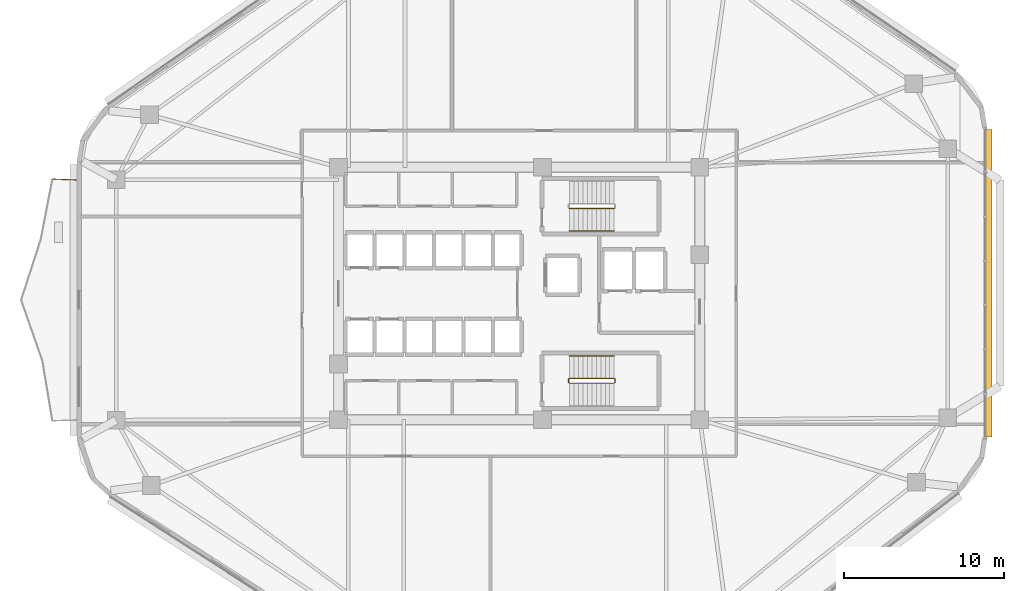
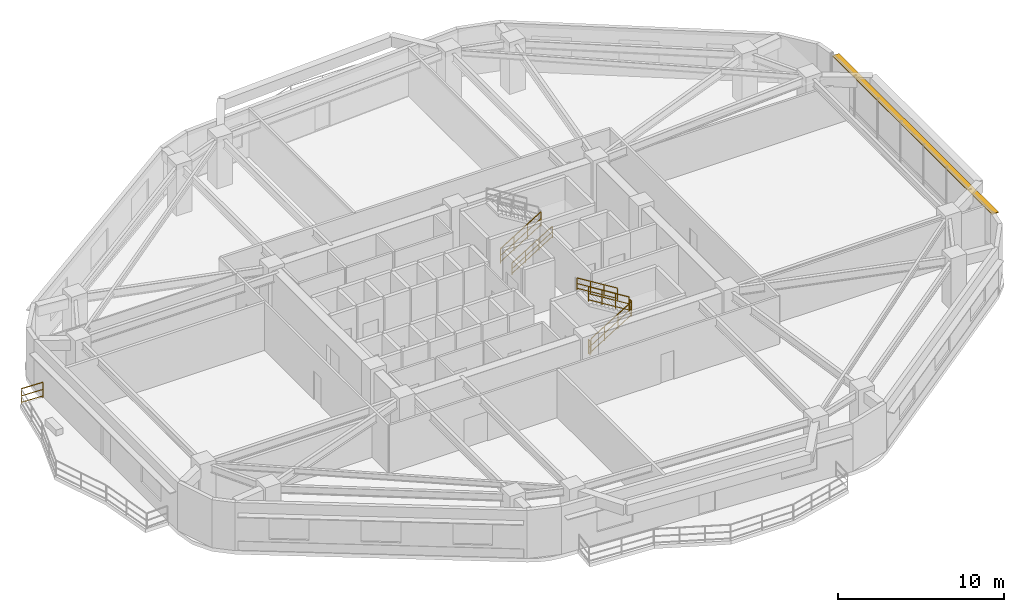
# One storey, part 13 of 14: 8 railings, 1 shading device.
"""IFC4 building model written with IfcOpenShell, lengths in metres."""

from ifc_helpers import new_model, si_unit, direction, frame, origin, origin_2d, place, context, subcontext, project, spatial, rectangle, extrude, material, layer, layer_set, type_object, element, save


model = new_model("IFC4")

# Units and contexts
model_context = context("Model", 3, precision=1e-05, world=origin(), true_north=direction((0.0, 1.0)))
body_context = subcontext(model_context, "Body", "Model", "MODEL_VIEW")
ifc_project = project(units=[si_unit("LENGTHUNIT", "METRE"), si_unit("AREAUNIT", "SQUARE_METRE"), si_unit("VOLUMEUNIT", "CUBIC_METRE"), si_unit("PLANEANGLEUNIT", "RADIAN"), si_unit("MASSUNIT", "GRAM", prefix="KILO")], contexts=[model_context])

# Site, building, storey
site_placement = place(None, origin())
site = spatial("IfcSite", under=ifc_project, at=site_placement, CompositionType="ELEMENT")
building_placement = place(site_placement, origin())
building = spatial("IfcBuilding", under=site, at=building_placement, Name="Zulverin Broadcast Headquarters", CompositionType="ELEMENT")
storey_placement = place(building_placement, frame((0.0, 0.0, 85.800048828125)))
storey = spatial("IfcBuildingStorey", under=building, at=storey_placement, Name="L21", CompositionType="ELEMENT", Elevation=85.800048828125)

# Railings
ifc_material_1 = material(Name="Brushed stainless steel & laminated glass balustrade", Category="steel")
railing_type_1 = type_object("IfcRailingType", Name="RL-GUARD-1150", PredefinedType="GUARDRAIL", material=ifc_material_1)
railing_1_placement = place(storey_placement, frame((9.360107421875, 32.284423828125, 0.0)))
element("IfcRailing", 1, at=railing_1_placement, inside=storey, type_object=railing_type_1, Name="L21 Vertical-Forest Balcony Guardrail BAL_W Segment 01", PredefinedType="GUARDRAIL", context=body_context, shape_type="SweptSolid", body=[
    extrude(rectangle(XDim=0.048095703125, YDim=0.048095703125, at=origin_2d()), frame((0.0, 0.0, 1.1259765625), z_axis=(-0.999181155166, 0.040460093435, 0.0), x_axis=(-0.040460093435, -0.999181155166, 0.0)), (0.0, 0.0, 1.0), 1.46630859375),
    extrude(rectangle(XDim=0.0419921875, YDim=0.0419921875, at=origin_2d()), frame((0.0, 0.0, 0.597900390625), z_axis=(-0.999181155166, 0.040460093435, 0.0), x_axis=(-0.040460093435, -0.999181155166, 0.0)), (0.0, 0.0, 1.0), 1.46630859375),
    extrude(rectangle(XDim=0.0419921875, YDim=0.0419921875, at=origin_2d()), frame((0.0, 0.0, 0.1201171875), z_axis=(-0.999181155166, 0.040460093435, 0.0), x_axis=(-0.040460093435, -0.999181155166, 0.0)), (0.0, 0.0, 1.0), 1.46630859375),
    extrude(rectangle(XDim=0.0419921875, YDim=0.0419921875, at=origin_2d()), origin(), (0.0, 0.0, 1.0), 1.101806640625),
    extrude(rectangle(XDim=0.0419921875, YDim=0.0419921875, at=origin_2d()), frame((-1.465087890625, 0.059326171875, 0.0)), (0.0, 0.0, 1.0), 1.101806640625),
])
ifc_material_2 = material(Name="Painted galvanized steel tubular guardrail S355JR", Category="steel")
railing_type_2 = type_object("IfcRailingType", Name="RL-ST-GUARD", PredefinedType="GUARDRAIL", material=ifc_material_2)
for number, where, name in (
    (2, (40.1298828125, 30.5, 0.172607421875), "L21 ST-1 stair guard 1"),
    (3, (40.1298828125, 19.60009765625, 0.172607421875), "L21 ST-2 stair guard 1"),
):
    element("IfcRailing", number, at=place(storey_placement, frame(where)), inside=storey, type_object=railing_type_2, Name=name, PredefinedType="GUARDRAIL", context=body_context, shape_type="SweptSolid", body=[
        extrude(rectangle(XDim=0.048095703125, YDim=0.048095703125, at=origin_2d()), frame((0.0, 0.0, 1.076171875), z_axis=(0.851089632645, 0.0, 0.525020415988), x_axis=(0.0, 1.0, 0.0)), (0.0, 0.0, 1.0), 3.2900390625),
        extrude(rectangle(XDim=0.0419921875, YDim=0.0419921875, at=origin_2d()), frame((0.0, 0.0, 0.572021484375), z_axis=(0.851089632645, 0.0, 0.525020415988), x_axis=(0.0, 1.0, 0.0)), (0.0, 0.0, 1.0), 3.2900390625),
        extrude(rectangle(XDim=0.0419921875, YDim=0.0419921875, at=origin_2d()), frame((0.0, 0.0, 0.1201171875), z_axis=(0.851089632645, 0.0, 0.525020415988), x_axis=(0.0, 1.0, 0.0)), (0.0, 0.0, 1.0), 3.2900390625),
        extrude(rectangle(XDim=0.0419921875, YDim=0.0419921875, at=origin_2d()), origin(), (0.0, 0.0, 1.0), 1.052001953125),
        extrude(rectangle(XDim=0.0419921875, YDim=0.0419921875, at=origin_2d()), frame((0.933349609375, 0.0, 0.57568359375)), (0.0, 0.0, 1.0), 1.052001953125),
        extrude(rectangle(XDim=0.0419921875, YDim=0.0419921875, at=origin_2d()), frame((1.86669921875, 0.0, 1.151611328125)), (0.0, 0.0, 1.0), 1.052001953125),
        extrude(rectangle(XDim=0.0419921875, YDim=0.0419921875, at=origin_2d()), frame((2.800048828125, 0.0, 1.727294921875)), (0.0, 0.0, 1.0), 1.052001953125),
    ])
railing_2_placement = place(storey_placement, frame((42.97998046875, 19.64990234375, 1.89990234375)))
element("IfcRailing", 4, at=railing_2_placement, inside=storey, type_object=railing_type_2, Name="L21 ST-2 stair guard 2", PredefinedType="GUARDRAIL", context=body_context, shape_type="SweptSolid", body=[
    extrude(rectangle(XDim=0.048095703125, YDim=0.048095703125, at=origin_2d()), frame((0.0, 0.0, 1.076171875), z_axis=(0.0, 1.0, 0.0), x_axis=(-1.0, 0.0, 0.0)), (0.0, 0.0, 1.0), 0.2001953125),
    extrude(rectangle(XDim=0.0419921875, YDim=0.0419921875, at=origin_2d()), frame((0.0, 0.0, 0.572021484375), z_axis=(0.0, 1.0, 0.0), x_axis=(-1.0, 0.0, 0.0)), (0.0, 0.0, 1.0), 0.2001953125),
    extrude(rectangle(XDim=0.0419921875, YDim=0.0419921875, at=origin_2d()), frame((0.0, 0.0, 0.1201171875), z_axis=(0.0, 1.0, 0.0), x_axis=(-1.0, 0.0, 0.0)), (0.0, 0.0, 1.0), 0.2001953125),
    extrude(rectangle(XDim=0.0419921875, YDim=0.0419921875, at=origin_2d()), origin(), (0.0, 0.0, 1.0), 1.052001953125),
    extrude(rectangle(XDim=0.0419921875, YDim=0.0419921875, at=origin_2d()), frame((0.0, 0.2001953125, 0.0)), (0.0, 0.0, 1.0), 1.052001953125),
])
railing_3_placement = place(storey_placement, frame((42.929931640625, 19.89990234375, 2.07275390625)))
element("IfcRailing", 5, at=railing_3_placement, inside=storey, type_object=railing_type_2, Name="L21 ST-2 stair guard 3", PredefinedType="GUARDRAIL", context=body_context, shape_type="SweptSolid", body=[
    extrude(rectangle(XDim=0.048095703125, YDim=0.048095703125, at=origin_2d()), frame((0.0, 0.0, 1.076171875), z_axis=(-0.851089632645, 0.0, 0.525020415988), x_axis=(0.0, -1.0, 0.0)), (0.0, 0.0, 1.0), 3.2900390625),
    extrude(rectangle(XDim=0.0419921875, YDim=0.0419921875, at=origin_2d()), frame((0.0, 0.0, 0.572021484375), z_axis=(-0.851089632645, 0.0, 0.525020415988), x_axis=(0.0, -1.0, 0.0)), (0.0, 0.0, 1.0), 3.2900390625),
    extrude(rectangle(XDim=0.0419921875, YDim=0.0419921875, at=origin_2d()), frame((0.0, 0.0, 0.1201171875), z_axis=(-0.851089632645, 0.0, 0.525020415988), x_axis=(0.0, -1.0, 0.0)), (0.0, 0.0, 1.0), 3.2900390625),
    extrude(rectangle(XDim=0.0419921875, YDim=0.0419921875, at=origin_2d()), origin(), (0.0, 0.0, 1.0), 1.052001953125),
    extrude(rectangle(XDim=0.0419921875, YDim=0.0419921875, at=origin_2d()), frame((-0.933349609375, 0.0, 0.57568359375)), (0.0, 0.0, 1.0), 1.052001953125),
    extrude(rectangle(XDim=0.0419921875, YDim=0.0419921875, at=origin_2d()), frame((-1.86669921875, 0.0, 1.151611328125)), (0.0, 0.0, 1.0), 1.052001953125),
    extrude(rectangle(XDim=0.0419921875, YDim=0.0419921875, at=origin_2d()), frame((-2.800048828125, 0.0, 1.727294921875)), (0.0, 0.0, 1.0), 1.052001953125),
])
railing_4_placement = place(storey_placement, frame((40.080078125, 19.64990234375, 0.0)))
element("IfcRailing", 6, at=railing_4_placement, inside=storey, type_object=railing_type_2, Name="L21 ST-2 stair guard 4", PredefinedType="GUARDRAIL", context=body_context, shape_type="SweptSolid", body=[
    extrude(rectangle(XDim=0.048095703125, YDim=0.048095703125, at=origin_2d()), frame((0.0, 0.0, 1.076171875), z_axis=(0.0, 1.0, 0.0), x_axis=(-1.0, 0.0, 0.0)), (0.0, 0.0, 1.0), 0.2001953125),
    extrude(rectangle(XDim=0.0419921875, YDim=0.0419921875, at=origin_2d()), frame((0.0, 0.0, 0.572021484375), z_axis=(0.0, 1.0, 0.0), x_axis=(-1.0, 0.0, 0.0)), (0.0, 0.0, 1.0), 0.2001953125),
    extrude(rectangle(XDim=0.0419921875, YDim=0.0419921875, at=origin_2d()), frame((0.0, 0.0, 0.1201171875), z_axis=(0.0, 1.0, 0.0), x_axis=(-1.0, 0.0, 0.0)), (0.0, 0.0, 1.0), 0.2001953125),
    extrude(rectangle(XDim=0.0419921875, YDim=0.0419921875, at=origin_2d()), origin(), (0.0, 0.0, 1.0), 1.052001953125),
    extrude(rectangle(XDim=0.0419921875, YDim=0.0419921875, at=origin_2d()), frame((0.0, 0.2001953125, 0.0)), (0.0, 0.0, 1.0), 1.052001953125),
])
ifc_material_3 = material(Name="Brushed stainless steel 48 mm handrail", Category="steel")
railing_type_3 = type_object("IfcRailingType", Name="RL-ST-HAND", PredefinedType="HANDRAIL", material=ifc_material_3)
railing_5_placement = place(storey_placement, frame((40.1298828125, 29.10009765625, 0.172607421875)))
element("IfcRailing", 7, at=railing_5_placement, inside=storey, type_object=railing_type_3, Name="L21 ST-1 stair handrail 1", PredefinedType="HANDRAIL", context=body_context, shape_type="SweptSolid", body=[
    extrude(rectangle(XDim=0.048095703125, YDim=0.048095703125, at=origin_2d()), frame((0.0, 0.0, 0.8759765625), z_axis=(0.851089632645, 0.0, 0.525020415988), x_axis=(0.0, 1.0, 0.0)), (0.0, 0.0, 1.0), 3.2900390625),
    extrude(rectangle(XDim=0.0419921875, YDim=0.0419921875, at=origin_2d()), frame((0.0, 0.0, 0.468017578125), z_axis=(0.851089632645, 0.0, 0.525020415988), x_axis=(0.0, 1.0, 0.0)), (0.0, 0.0, 1.0), 3.2900390625),
    extrude(rectangle(XDim=0.0419921875, YDim=0.0419921875, at=origin_2d()), frame((0.0, 0.0, 0.1201171875), z_axis=(0.851089632645, 0.0, 0.525020415988), x_axis=(0.0, 1.0, 0.0)), (0.0, 0.0, 1.0), 3.2900390625),
    extrude(rectangle(XDim=0.0419921875, YDim=0.0419921875, at=origin_2d()), origin(), (0.0, 0.0, 1.0), 0.851806640625),
    extrude(rectangle(XDim=0.0419921875, YDim=0.0419921875, at=origin_2d()), frame((0.933349609375, 0.0, 0.57568359375)), (0.0, 0.0, 1.0), 0.851806640625),
    extrude(rectangle(XDim=0.0419921875, YDim=0.0419921875, at=origin_2d()), frame((1.86669921875, 0.0, 1.151611328125)), (0.0, 0.0, 1.0), 0.851806640625),
    extrude(rectangle(XDim=0.0419921875, YDim=0.0419921875, at=origin_2d()), frame((2.800048828125, 0.0, 1.727294921875)), (0.0, 0.0, 1.0), 0.851806640625),
])
railing_6_placement = place(storey_placement, frame((42.929931640625, 21.300048828125, 2.07275390625)))
element("IfcRailing", 8, at=railing_6_placement, inside=storey, type_object=railing_type_3, Name="L21 ST-2 stair handrail 2", PredefinedType="HANDRAIL", context=body_context, shape_type="SweptSolid", body=[
    extrude(rectangle(XDim=0.048095703125, YDim=0.048095703125, at=origin_2d()), frame((0.0, 0.0, 0.8759765625), z_axis=(-0.851089632645, 0.0, 0.525020415988), x_axis=(0.0, -1.0, 0.0)), (0.0, 0.0, 1.0), 3.2900390625),
    extrude(rectangle(XDim=0.0419921875, YDim=0.0419921875, at=origin_2d()), frame((0.0, 0.0, 0.468017578125), z_axis=(-0.851089632645, 0.0, 0.525020415988), x_axis=(0.0, -1.0, 0.0)), (0.0, 0.0, 1.0), 3.2900390625),
    extrude(rectangle(XDim=0.0419921875, YDim=0.0419921875, at=origin_2d()), frame((0.0, 0.0, 0.1201171875), z_axis=(-0.851089632645, 0.0, 0.525020415988), x_axis=(0.0, -1.0, 0.0)), (0.0, 0.0, 1.0), 3.2900390625),
    extrude(rectangle(XDim=0.0419921875, YDim=0.0419921875, at=origin_2d()), origin(), (0.0, 0.0, 1.0), 0.851806640625),
    extrude(rectangle(XDim=0.0419921875, YDim=0.0419921875, at=origin_2d()), frame((-0.933349609375, 0.0, 0.57568359375)), (0.0, 0.0, 1.0), 0.851806640625),
    extrude(rectangle(XDim=0.0419921875, YDim=0.0419921875, at=origin_2d()), frame((-1.86669921875, 0.0, 1.151611328125)), (0.0, 0.0, 1.0), 0.851806640625),
    extrude(rectangle(XDim=0.0419921875, YDim=0.0419921875, at=origin_2d()), frame((-2.800048828125, 0.0, 1.727294921875)), (0.0, 0.0, 1.0), 0.851806640625),
])

# Shading device
ifc_material_4 = material(Name="Anodized pale-metal aluminium sunshade", Category="aluminium")
ifc_layer = layer(ifc_material_4, 0.06005859375, Name="Anodized pale-metal aluminium sunshade", Category="aluminium")
ifc_layer_set = layer_set([ifc_layer], Name="Anodized pale-metal aluminium sunshade")
shading_device_type = type_object("IfcShadingDeviceType", Name="SS-01_PALE_METAL_ALUMINIUM_SUNSHADE", PredefinedType="USERDEFINED", material=ifc_layer_set)
shading_device_placement = place(storey_placement, frame((66.280029296875, 25.848876953125, 3.294921875), z_axis=(0.0, 0.0, 1.0), x_axis=(0.0, 1.0, 0.0)))
element("IfcShadingDevice", 9, at=shading_device_placement, inside=storey, type_object=shading_device_type, Name="L21 Pale-Metal Horizontal Sunshade Band CW-L21-E3", ObjectType="SUNSHADE", PredefinedType="USERDEFINED", context=body_context, shape_type="SweptSolid", body=[
    extrude(rectangle(XDim=19.191162109375, YDim=0.449951171875, at=origin_2d()), origin(), (0.0, 0.0, 1.0), 0.06005859375),
])

save(model, "model.ifc")
